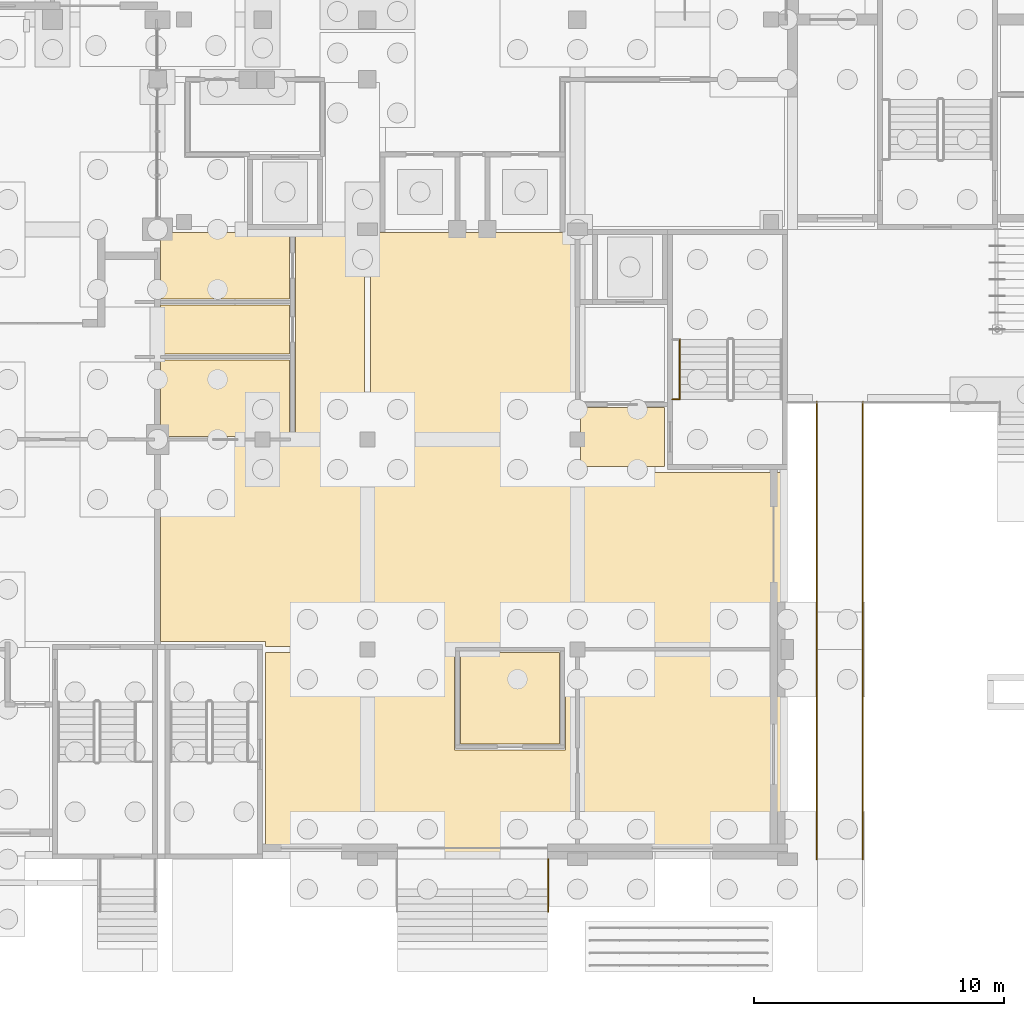
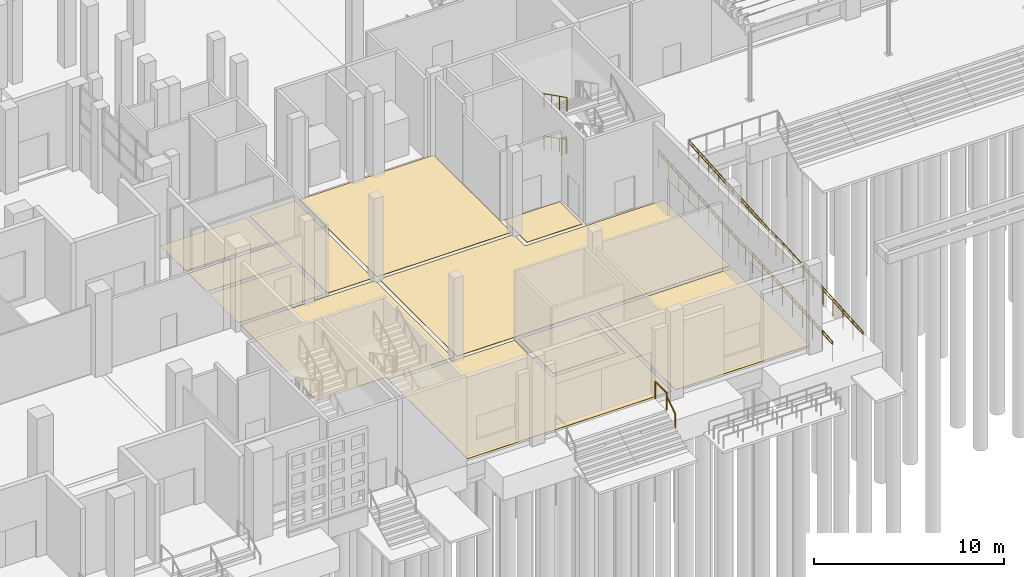
# One storey, part 105 of 129: 11 coverings, 9 railings.
"""IFC4 building model written with IfcOpenShell, lengths in metres."""

from ifc_helpers import new_model, si_unit, direction, frame, origin, origin_2d, place, context, subcontext, project, spatial, polyline, circle, outline, extrude, material, layer, layer_set, type_object, element, save


model = new_model("IFC4")

# Units and contexts
model_context = context("Model", 3, precision=1e-05, world=origin(), true_north=direction((0.0, 1.0)))
body_context = subcontext(model_context, "Body", "Model", "MODEL_VIEW")
ifc_project = project(units=[si_unit("LENGTHUNIT", "METRE"), si_unit("AREAUNIT", "SQUARE_METRE"), si_unit("VOLUMEUNIT", "CUBIC_METRE"), si_unit("PLANEANGLEUNIT", "RADIAN"), si_unit("MASSUNIT", "GRAM", prefix="KILO")], contexts=[model_context])

# Site, building, storey
site_placement = place(None, origin())
site = spatial("IfcSite", under=ifc_project, at=site_placement, CompositionType="ELEMENT")
building_placement = place(site_placement, origin())
building = spatial("IfcBuilding", under=site, at=building_placement, Name="Kiln Court Media Centre", CompositionType="ELEMENT")
storey_placement = place(building_placement, origin())
storey = spatial("IfcBuildingStorey", under=building, at=storey_placement, Name="L00", CompositionType="ELEMENT", Elevation=0.0)

# Coverings
ifc_material_1 = material(Name="Ceramic tile")
ifc_layer_1 = layer(ifc_material_1, 0.011962890625)
ifc_layer_set_1 = layer_set([ifc_layer_1], Name="Ceramic tile floor finish 12")
covering_type_1 = type_object("IfcCoveringType", Name="Ceramic tile floor finish 12", PredefinedType="FLOORING", material=ifc_layer_set_1)
covering_1_placement = place(storey_placement, origin())
element("IfcCovering", 1, at=covering_1_placement, inside=storey, type_object=covering_type_1, Name="Women's WC floor finish", PredefinedType="FLOORING", context=body_context, shape_type="SweptSolid", body=[
    extrude(outline(polyline([(38.8798828125, 16.919921875), (38.8798828125, 19.97998046875), (33.719970703125, 19.97998046875), (33.719970703125, 16.919921875), (38.8798828125, 16.919921875)])), origin(), (0.0, 0.0, 1.0), 0.011962890625),
])
covering_2_placement = place(storey_placement, origin())
element("IfcCovering", 2, at=covering_2_placement, inside=storey, type_object=covering_type_1, Name="Men's WC floor finish", PredefinedType="FLOORING", context=body_context, shape_type="SweptSolid", body=[
    extrude(outline(polyline([(38.8798828125, 20.219970703125), (38.8798828125, 22.179931640625), (33.719970703125, 22.179931640625), (33.719970703125, 20.219970703125), (38.8798828125, 20.219970703125)])), origin(), (0.0, 0.0, 1.0), 0.011962890625),
])
covering_3_placement = place(storey_placement, origin())
element("IfcCovering", 3, at=covering_3_placement, inside=storey, type_object=covering_type_1, Name="Accessible WC floor finish", PredefinedType="FLOORING", context=body_context, shape_type="SweptSolid", body=[
    extrude(outline(polyline([(38.8798828125, 22.419921875), (38.8798828125, 25.080078125), (33.719970703125, 25.080078125), (33.719970703125, 22.419921875), (38.8798828125, 22.419921875)])), origin(), (0.0, 0.0, 1.0), 0.011962890625),
])
ifc_material_2 = material(Name="Engineered timber", Category="wood")
ifc_layer_2 = layer(ifc_material_2, 0.02001953125)
ifc_layer_set_2 = layer_set([ifc_layer_2], Name="Engineered timber floor finish 20")
covering_type_2 = type_object("IfcCoveringType", Name="Engineered timber floor finish 20", PredefinedType="FLOORING", material=ifc_layer_set_2)
covering_4_placement = place(storey_placement, origin())
element("IfcCovering", 4, at=covering_4_placement, inside=storey, type_object=covering_type_2, Name="Fire Command Room floor finish", PredefinedType="FLOORING", context=body_context, shape_type="SweptSolid", body=[
    extrude(outline(polyline([(45.719970703125, 4.6201171875), (49.679931640625, 4.6201171875), (49.679931640625, 8.280029296875), (45.719970703125, 8.280029296875), (45.719970703125, 4.6201171875)])), origin(), (0.0, 0.0, 1.0), 0.02001953125),
])
covering_5_placement = place(storey_placement, origin())
element("IfcCovering", 5, at=covering_5_placement, inside=storey, type_object=covering_type_2, Name="Foyer Cafe floor finish", PredefinedType="FLOORING", context=body_context, shape_type="SweptSolid", body=[
    extrude(outline(polyline([(33.719970703125, 16.679931640625), (33.719970703125, 8.719970703125), (37.919921875, 8.719970703125), (37.919921875, 8.52001953125), (41.8798828125, 8.52001953125), (41.8798828125, 16.679931640625), (33.719970703125, 16.679931640625)])), origin(), (0.0, 0.0, 1.0), 0.02001953125),
])
ifc_material_3 = material(Name="Terrazzo")
ifc_layer_3 = layer(ifc_material_3, 0.02490234375)
ifc_layer_set_3 = layer_set([ifc_layer_3], Name="Polished terrazzo floor finish 25")
covering_type_3 = type_object("IfcCoveringType", Name="Polished terrazzo floor finish 25", PredefinedType="FLOORING", material=ifc_layer_set_3)
covering_6_placement = place(storey_placement, origin())
element("IfcCovering", 6, at=covering_6_placement, inside=storey, type_object=covering_type_3, Name="Street Entrance Hall floor finish", PredefinedType="FLOORING", context=body_context, shape_type="SweptSolid", body=[
    extrude(outline(polyline([(50.280029296875, 8.280029296875), (49.919921875, 8.280029296875), (49.919921875, 4.3798828125), (45.47998046875, 4.3798828125), (45.47998046875, 8.280029296875), (37.919921875, 8.280029296875), (37.919921875, 0.1201171875), (50.280029296875, 0.1201171875), (50.280029296875, 8.280029296875)])), origin(), (0.0, 0.0, 1.0), 0.02490234375),
])
covering_7_placement = place(storey_placement, origin())
element("IfcCovering", 7, at=covering_7_placement, inside=storey, type_object=covering_type_3, Name="Box Office floor finish", PredefinedType="FLOORING", context=body_context, shape_type="SweptSolid", body=[
    extrude(outline(polyline([(50.52001953125, 0.1201171875), (58.679931640625, 0.1201171875), (58.679931640625, 8.280029296875), (50.52001953125, 8.280029296875), (50.52001953125, 0.1201171875)])), origin(), (0.0, 0.0, 1.0), 0.02490234375),
])
covering_8_placement = place(storey_placement, origin())
element("IfcCovering", 8, at=covering_8_placement, inside=storey, type_object=covering_type_3, Name="Main Entrance Lobby floor finish", PredefinedType="FLOORING", context=body_context, shape_type="SweptSolid", body=[
    extrude(outline(polyline([(58.679931640625, 15.47998046875), (50.280029296875, 15.47998046875), (50.280029296875, 16.679931640625), (42.1201171875, 16.679931640625), (42.1201171875, 8.52001953125), (58.679931640625, 8.52001953125), (58.679931640625, 15.47998046875)])), origin(), (0.0, 0.0, 1.0), 0.02490234375),
])
covering_9_placement = place(storey_placement, origin())
element("IfcCovering", 9, at=covering_9_placement, inside=storey, type_object=covering_type_3, Name="Stair 5 Lobby floor finish", PredefinedType="FLOORING", context=body_context, shape_type="SweptSolid", body=[
    extrude(outline(polyline([(50.52001953125, 15.719970703125), (53.8798828125, 15.719970703125), (53.8798828125, 18.080078125), (50.52001953125, 18.080078125), (50.52001953125, 15.719970703125)])), origin(), (0.0, 0.0, 1.0), 0.02490234375),
])
covering_10_placement = place(storey_placement, origin())
element("IfcCovering", 10, at=covering_10_placement, inside=storey, type_object=covering_type_3, Name="Toilet Lobby floor finish", PredefinedType="FLOORING", context=body_context, shape_type="SweptSolid", body=[
    extrude(outline(polyline([(41.8798828125, 16.919921875), (41.8798828125, 25.080078125), (39.1201171875, 25.080078125), (39.1201171875, 16.919921875), (41.8798828125, 16.919921875)])), origin(), (0.0, 0.0, 1.0), 0.02490234375),
])
covering_11_placement = place(storey_placement, origin())
element("IfcCovering", 11, at=covering_11_placement, inside=storey, type_object=covering_type_3, Name="North Hall floor finish", PredefinedType="FLOORING", context=body_context, shape_type="SweptSolid", body=[
    extrude(outline(polyline([(42.1201171875, 16.919921875), (50.280029296875, 16.919921875), (50.280029296875, 25.080078125), (42.1201171875, 25.080078125), (42.1201171875, 16.919921875)])), origin(), (0.0, 0.0, 1.0), 0.02490234375),
])

# Railings
ifc_material_4 = material(Name="Steel S275", Category="steel")
railing_type_1 = type_object("IfcRailingType", Name="Steel S275 stair guard 1100", PredefinedType="GUARDRAIL", material=ifc_material_4)
railing_1_placement = place(storey_placement, frame((54.449951171875, 18.39990234375, 2.699951171875)))
element("IfcRailing", 12, at=railing_1_placement, inside=storey, type_object=railing_type_1, Name="ST-05 landing edge guard", PredefinedType="GUARDRAIL", context=body_context, shape_type="SweptSolid", body=[
    extrude(circle(Radius=0.02392578125, at=origin_2d()), frame((0.0, 0.0, 1.076171875), z_axis=(-1.0, 0.0, 0.0), x_axis=(0.0, -1.0, 0.0)), (0.0, 0.0, 1.0), 0.25),
    extrude(circle(Radius=0.02099609375, at=origin_2d()), origin(), (0.0, 0.0, 1.0), 1.052001953125),
    extrude(circle(Radius=0.02099609375, at=origin_2d()), frame((-0.25, 0.0, 0.0)), (0.0, 0.0, 1.0), 1.052001953125),
])
ifc_material_5 = material(Name="Steel S275", Category="steel")
railing_type_2 = type_object("IfcRailingType", Name="Steel S275 stair handrail 900", PredefinedType="HANDRAIL", material=ifc_material_5)
for number, where, name in (
    (13, (54.5, 20.800048828125, 1.5), "ST-05 stair handrail"),
    (14, (54.5, 20.800048828125, 4.199951171875), "ST-05 stair handrail"),
):
    element("IfcRailing", number, at=place(storey_placement, frame(where)), inside=storey, type_object=railing_type_2, Name=name, PredefinedType="HANDRAIL", context=body_context, shape_type="SweptSolid", body=[
        extrude(circle(Radius=0.02392578125, at=origin_2d()), frame((0.0, 0.0, 0.8759765625), z_axis=(0.0, -0.894445386687, 0.447177202275), x_axis=(1.0, 0.0, 0.0)), (0.0, 0.0, 1.0), 2.683349609375),
        extrude(circle(Radius=0.02099609375, at=origin_2d()), origin(), (0.0, 0.0, 1.0), 0.851806640625),
        extrude(circle(Radius=0.02099609375, at=origin_2d()), frame((0.0, -0.800048828125, 0.39990234375)), (0.0, 0.0, 1.0), 0.851806640625),
        extrude(circle(Radius=0.02099609375, at=origin_2d()), frame((0.0, -1.60009765625, 0.800048828125)), (0.0, 0.0, 1.0), 0.851806640625),
        extrude(circle(Radius=0.02099609375, at=origin_2d()), frame((0.0, -2.400146484375, 1.199951171875)), (0.0, 0.0, 1.0), 0.851806640625),
    ])
ifc_material_6 = material(Name="Steel ASTM A572 Gr 50", Category="steel")
railing_type_3 = type_object("IfcRailingType", Name="Steel guard rail 1100", PredefinedType="GUARDRAIL", material=ifc_material_6)
railing_2_placement = place(storey_placement, frame((59.97900390625, 0.0, -1.39990234375)))
element("IfcRailing", 15, at=railing_2_placement, inside=storey, type_object=railing_type_3, Name="Forecourt ramp guard 1", PredefinedType="GUARDRAIL", context=body_context, shape_type="SweptSolid", body=[
    extrude(circle(Radius=0.02392578125, at=origin_2d()), frame((0.0, 0.0, 1.27587890625), z_axis=(0.0, 0.997459876989, 0.071230567859), x_axis=(-1.0, 0.0, 0.0)), (0.0, 0.0, 1.0), 8.42138671875),
    extrude(circle(Radius=0.02392578125, at=origin_2d()), frame((0.0, 8.39990234375, 1.8759765625), z_axis=(0.0, 1.0, 0.0), x_axis=(-1.0, 0.0, 0.0)), (0.0, 0.0, 1.0), 1.5),
    extrude(circle(Radius=0.02392578125, at=origin_2d()), frame((0.0, 9.89990234375, 1.8759765625), z_axis=(0.0, 0.997457963991, 0.071257350989), x_axis=(-1.0, 0.0, 0.0)), (0.0, 0.0, 1.0), 8.421630859375),
    extrude(circle(Radius=0.02099609375, at=origin_2d()), origin(), (0.0, 0.0, 1.0), 1.251953125),
    extrude(circle(Radius=0.02099609375, at=origin_2d()), frame((0.0, 1.050048828125, 0.074951171875)), (0.0, 0.0, 1.0), 1.251953125),
    extrude(circle(Radius=0.02099609375, at=origin_2d()), frame((0.0, 2.10009765625, 0.14990234375)), (0.0, 0.0, 1.0), 1.251953125),
    extrude(circle(Radius=0.02099609375, at=origin_2d()), frame((0.0, 3.14990234375, 0.224853515625)), (0.0, 0.0, 1.0), 1.251953125),
    extrude(circle(Radius=0.02099609375, at=origin_2d()), frame((0.0, 4.199951171875, 0.2998046875)), (0.0, 0.0, 1.0), 1.251953125),
    extrude(circle(Radius=0.02099609375, at=origin_2d()), frame((0.0, 5.25, 0.375)), (0.0, 0.0, 1.0), 1.251953125),
    extrude(circle(Radius=0.02099609375, at=origin_2d()), frame((0.0, 6.2998046875, 0.449951171875)), (0.0, 0.0, 1.0), 1.251953125),
    extrude(circle(Radius=0.02099609375, at=origin_2d()), frame((0.0, 7.349853515625, 0.52490234375)), (0.0, 0.0, 1.0), 1.251953125),
    extrude(circle(Radius=0.02099609375, at=origin_2d()), frame((0.0, 8.39990234375, 0.599853515625)), (0.0, 0.0, 1.0), 1.251953125),
    extrude(circle(Radius=0.02099609375, at=origin_2d()), frame((0.0, 9.14990234375, 0.599853515625)), (0.0, 0.0, 1.0), 1.251953125),
    extrude(circle(Radius=0.02099609375, at=origin_2d()), frame((0.0, 9.89990234375, 0.599853515625)), (0.0, 0.0, 1.0), 1.251953125),
    extrude(circle(Radius=0.02099609375, at=origin_2d()), frame((0.0, 10.949951171875, 0.6748046875)), (0.0, 0.0, 1.0), 1.251953125),
    extrude(circle(Radius=0.02099609375, at=origin_2d()), frame((0.0, 12.0, 0.75)), (0.0, 0.0, 1.0), 1.251953125),
    extrude(circle(Radius=0.02099609375, at=origin_2d()), frame((0.0, 13.050048828125, 0.824951171875)), (0.0, 0.0, 1.0), 1.251953125),
    extrude(circle(Radius=0.02099609375, at=origin_2d()), frame((0.0, 14.10009765625, 0.89990234375)), (0.0, 0.0, 1.0), 1.251953125),
    extrude(circle(Radius=0.02099609375, at=origin_2d()), frame((0.0, 15.14990234375, 0.974853515625)), (0.0, 0.0, 1.0), 1.251953125),
    extrude(circle(Radius=0.02099609375, at=origin_2d()), frame((0.0, 16.199951171875, 1.0498046875)), (0.0, 0.0, 1.0), 1.251953125),
    extrude(circle(Radius=0.02099609375, at=origin_2d()), frame((0.0, 17.25, 1.125)), (0.0, 0.0, 1.0), 1.251953125),
    extrude(circle(Radius=0.02099609375, at=origin_2d()), frame((0.0, 18.300048828125, 1.199951171875)), (0.0, 0.0, 1.0), 1.251953125),
])
railing_3_placement = place(storey_placement, frame((61.821044921875, 0.0, -1.39990234375)))
element("IfcRailing", 16, at=railing_3_placement, inside=storey, type_object=railing_type_3, Name="Forecourt ramp guard 2", PredefinedType="GUARDRAIL", context=body_context, shape_type="SweptSolid", body=[
    extrude(circle(Radius=0.02392578125, at=origin_2d()), frame((0.0, 0.0, 1.27587890625), z_axis=(0.0, 0.997459876989, 0.071230567859), x_axis=(-1.0, 0.0, 0.0)), (0.0, 0.0, 1.0), 8.42138671875),
    extrude(circle(Radius=0.02392578125, at=origin_2d()), frame((0.0, 8.39990234375, 1.8759765625), z_axis=(0.0, 1.0, 0.0), x_axis=(-1.0, 0.0, 0.0)), (0.0, 0.0, 1.0), 1.5),
    extrude(circle(Radius=0.02392578125, at=origin_2d()), frame((0.0, 9.89990234375, 1.8759765625), z_axis=(0.0, 0.997457963991, 0.071257350989), x_axis=(-1.0, 0.0, 0.0)), (0.0, 0.0, 1.0), 8.421630859375),
    extrude(circle(Radius=0.02099609375, at=origin_2d()), origin(), (0.0, 0.0, 1.0), 1.251953125),
    extrude(circle(Radius=0.02099609375, at=origin_2d()), frame((0.0, 1.050048828125, 0.074951171875)), (0.0, 0.0, 1.0), 1.251953125),
    extrude(circle(Radius=0.02099609375, at=origin_2d()), frame((0.0, 2.10009765625, 0.14990234375)), (0.0, 0.0, 1.0), 1.251953125),
    extrude(circle(Radius=0.02099609375, at=origin_2d()), frame((0.0, 3.14990234375, 0.224853515625)), (0.0, 0.0, 1.0), 1.251953125),
    extrude(circle(Radius=0.02099609375, at=origin_2d()), frame((0.0, 4.199951171875, 0.2998046875)), (0.0, 0.0, 1.0), 1.251953125),
    extrude(circle(Radius=0.02099609375, at=origin_2d()), frame((0.0, 5.25, 0.375)), (0.0, 0.0, 1.0), 1.251953125),
    extrude(circle(Radius=0.02099609375, at=origin_2d()), frame((0.0, 6.2998046875, 0.449951171875)), (0.0, 0.0, 1.0), 1.251953125),
    extrude(circle(Radius=0.02099609375, at=origin_2d()), frame((0.0, 7.349853515625, 0.52490234375)), (0.0, 0.0, 1.0), 1.251953125),
    extrude(circle(Radius=0.02099609375, at=origin_2d()), frame((0.0, 8.39990234375, 0.599853515625)), (0.0, 0.0, 1.0), 1.251953125),
    extrude(circle(Radius=0.02099609375, at=origin_2d()), frame((0.0, 9.14990234375, 0.599853515625)), (0.0, 0.0, 1.0), 1.251953125),
    extrude(circle(Radius=0.02099609375, at=origin_2d()), frame((0.0, 9.89990234375, 0.599853515625)), (0.0, 0.0, 1.0), 1.251953125),
    extrude(circle(Radius=0.02099609375, at=origin_2d()), frame((0.0, 10.949951171875, 0.6748046875)), (0.0, 0.0, 1.0), 1.251953125),
    extrude(circle(Radius=0.02099609375, at=origin_2d()), frame((0.0, 12.0, 0.75)), (0.0, 0.0, 1.0), 1.251953125),
    extrude(circle(Radius=0.02099609375, at=origin_2d()), frame((0.0, 13.050048828125, 0.824951171875)), (0.0, 0.0, 1.0), 1.251953125),
    extrude(circle(Radius=0.02099609375, at=origin_2d()), frame((0.0, 14.10009765625, 0.89990234375)), (0.0, 0.0, 1.0), 1.251953125),
    extrude(circle(Radius=0.02099609375, at=origin_2d()), frame((0.0, 15.14990234375, 0.974853515625)), (0.0, 0.0, 1.0), 1.251953125),
    extrude(circle(Radius=0.02099609375, at=origin_2d()), frame((0.0, 16.199951171875, 1.0498046875)), (0.0, 0.0, 1.0), 1.251953125),
    extrude(circle(Radius=0.02099609375, at=origin_2d()), frame((0.0, 17.25, 1.125)), (0.0, 0.0, 1.0), 1.251953125),
    extrude(circle(Radius=0.02099609375, at=origin_2d()), frame((0.0, 18.300048828125, 1.199951171875)), (0.0, 0.0, 1.0), 1.251953125),
])
railing_4_placement = place(storey_placement, frame((49.22998046875, -1.199951171875, 0.0)))
element("IfcRailing", 17, at=railing_4_placement, inside=storey, type_object=railing_type_3, Name="EN-04 street porch landing guard", PredefinedType="GUARDRAIL", context=body_context, shape_type="SweptSolid", body=[
    extrude(circle(Radius=0.02392578125, at=origin_2d()), frame((0.0, 0.0, 1.076171875), z_axis=(0.0, 1.0, 0.0), x_axis=(-1.0, 0.0, 0.0)), (0.0, 0.0, 1.0), 1.199951171875),
    extrude(circle(Radius=0.02099609375, at=origin_2d()), origin(), (0.0, 0.0, 1.0), 1.052001953125),
    extrude(circle(Radius=0.02099609375, at=origin_2d()), frame((0.0, 1.199951171875, 0.0)), (0.0, 0.0, 1.0), 1.052001953125),
])
ifc_material_7 = material(Name="Steel ASTM A572 Gr 50", Category="steel")
railing_type_4 = type_object("IfcRailingType", Name="Steel handrail 900", PredefinedType="HANDRAIL", material=ifc_material_7)
railing_5_placement = place(storey_placement, frame((59.97900390625, 0.0, -1.39990234375)))
element("IfcRailing", 18, at=railing_5_placement, inside=storey, type_object=railing_type_4, Name="Forecourt ramp handrail 1", PredefinedType="HANDRAIL", context=body_context, shape_type="SweptSolid", body=[
    extrude(circle(Radius=0.02392578125, at=origin_2d()), frame((0.0, 0.0, 1.076171875), z_axis=(0.0, 0.997459876989, 0.071230567859), x_axis=(-1.0, 0.0, 0.0)), (0.0, 0.0, 1.0), 8.42138671875),
    extrude(circle(Radius=0.02392578125, at=origin_2d()), frame((0.0, 8.39990234375, 1.67578125), z_axis=(0.0, 1.0, 0.0), x_axis=(-1.0, 0.0, 0.0)), (0.0, 0.0, 1.0), 1.5),
    extrude(circle(Radius=0.02392578125, at=origin_2d()), frame((0.0, 9.89990234375, 1.67578125), z_axis=(0.0, 0.997457963991, 0.071257350989), x_axis=(-1.0, 0.0, 0.0)), (0.0, 0.0, 1.0), 8.421630859375),
    extrude(circle(Radius=0.02099609375, at=origin_2d()), origin(), (0.0, 0.0, 1.0), 1.052001953125),
    extrude(circle(Radius=0.02099609375, at=origin_2d()), frame((0.0, 1.050048828125, 0.074951171875)), (0.0, 0.0, 1.0), 1.052001953125),
    extrude(circle(Radius=0.02099609375, at=origin_2d()), frame((0.0, 2.10009765625, 0.14990234375)), (0.0, 0.0, 1.0), 1.052001953125),
    extrude(circle(Radius=0.02099609375, at=origin_2d()), frame((0.0, 3.14990234375, 0.224853515625)), (0.0, 0.0, 1.0), 1.052001953125),
    extrude(circle(Radius=0.02099609375, at=origin_2d()), frame((0.0, 4.199951171875, 0.2998046875)), (0.0, 0.0, 1.0), 1.052001953125),
    extrude(circle(Radius=0.02099609375, at=origin_2d()), frame((0.0, 5.25, 0.375)), (0.0, 0.0, 1.0), 1.052001953125),
    extrude(circle(Radius=0.02099609375, at=origin_2d()), frame((0.0, 6.2998046875, 0.449951171875)), (0.0, 0.0, 1.0), 1.052001953125),
    extrude(circle(Radius=0.02099609375, at=origin_2d()), frame((0.0, 7.349853515625, 0.52490234375)), (0.0, 0.0, 1.0), 1.052001953125),
    extrude(circle(Radius=0.02099609375, at=origin_2d()), frame((0.0, 8.39990234375, 0.599853515625)), (0.0, 0.0, 1.0), 1.052001953125),
    extrude(circle(Radius=0.02099609375, at=origin_2d()), frame((0.0, 9.14990234375, 0.599853515625)), (0.0, 0.0, 1.0), 1.052001953125),
    extrude(circle(Radius=0.02099609375, at=origin_2d()), frame((0.0, 9.89990234375, 0.599853515625)), (0.0, 0.0, 1.0), 1.052001953125),
    extrude(circle(Radius=0.02099609375, at=origin_2d()), frame((0.0, 10.949951171875, 0.6748046875)), (0.0, 0.0, 1.0), 1.052001953125),
    extrude(circle(Radius=0.02099609375, at=origin_2d()), frame((0.0, 12.0, 0.75)), (0.0, 0.0, 1.0), 1.052001953125),
    extrude(circle(Radius=0.02099609375, at=origin_2d()), frame((0.0, 13.050048828125, 0.824951171875)), (0.0, 0.0, 1.0), 1.052001953125),
    extrude(circle(Radius=0.02099609375, at=origin_2d()), frame((0.0, 14.10009765625, 0.89990234375)), (0.0, 0.0, 1.0), 1.052001953125),
    extrude(circle(Radius=0.02099609375, at=origin_2d()), frame((0.0, 15.14990234375, 0.974853515625)), (0.0, 0.0, 1.0), 1.052001953125),
    extrude(circle(Radius=0.02099609375, at=origin_2d()), frame((0.0, 16.199951171875, 1.0498046875)), (0.0, 0.0, 1.0), 1.052001953125),
    extrude(circle(Radius=0.02099609375, at=origin_2d()), frame((0.0, 17.25, 1.125)), (0.0, 0.0, 1.0), 1.052001953125),
    extrude(circle(Radius=0.02099609375, at=origin_2d()), frame((0.0, 18.300048828125, 1.199951171875)), (0.0, 0.0, 1.0), 1.052001953125),
])
railing_6_placement = place(storey_placement, frame((61.821044921875, 0.0, -1.39990234375)))
element("IfcRailing", 19, at=railing_6_placement, inside=storey, type_object=railing_type_4, Name="Forecourt ramp handrail 2", PredefinedType="HANDRAIL", context=body_context, shape_type="SweptSolid", body=[
    extrude(circle(Radius=0.02392578125, at=origin_2d()), frame((0.0, 0.0, 1.076171875), z_axis=(0.0, 0.997459876989, 0.071230567859), x_axis=(-1.0, 0.0, 0.0)), (0.0, 0.0, 1.0), 8.42138671875),
    extrude(circle(Radius=0.02392578125, at=origin_2d()), frame((0.0, 8.39990234375, 1.67578125), z_axis=(0.0, 1.0, 0.0), x_axis=(-1.0, 0.0, 0.0)), (0.0, 0.0, 1.0), 1.5),
    extrude(circle(Radius=0.02392578125, at=origin_2d()), frame((0.0, 9.89990234375, 1.67578125), z_axis=(0.0, 0.997457963991, 0.071257350989), x_axis=(-1.0, 0.0, 0.0)), (0.0, 0.0, 1.0), 8.421630859375),
    extrude(circle(Radius=0.02099609375, at=origin_2d()), origin(), (0.0, 0.0, 1.0), 1.052001953125),
    extrude(circle(Radius=0.02099609375, at=origin_2d()), frame((0.0, 1.050048828125, 0.074951171875)), (0.0, 0.0, 1.0), 1.052001953125),
    extrude(circle(Radius=0.02099609375, at=origin_2d()), frame((0.0, 2.10009765625, 0.14990234375)), (0.0, 0.0, 1.0), 1.052001953125),
    extrude(circle(Radius=0.02099609375, at=origin_2d()), frame((0.0, 3.14990234375, 0.224853515625)), (0.0, 0.0, 1.0), 1.052001953125),
    extrude(circle(Radius=0.02099609375, at=origin_2d()), frame((0.0, 4.199951171875, 0.2998046875)), (0.0, 0.0, 1.0), 1.052001953125),
    extrude(circle(Radius=0.02099609375, at=origin_2d()), frame((0.0, 5.25, 0.375)), (0.0, 0.0, 1.0), 1.052001953125),
    extrude(circle(Radius=0.02099609375, at=origin_2d()), frame((0.0, 6.2998046875, 0.449951171875)), (0.0, 0.0, 1.0), 1.052001953125),
    extrude(circle(Radius=0.02099609375, at=origin_2d()), frame((0.0, 7.349853515625, 0.52490234375)), (0.0, 0.0, 1.0), 1.052001953125),
    extrude(circle(Radius=0.02099609375, at=origin_2d()), frame((0.0, 8.39990234375, 0.599853515625)), (0.0, 0.0, 1.0), 1.052001953125),
    extrude(circle(Radius=0.02099609375, at=origin_2d()), frame((0.0, 9.14990234375, 0.599853515625)), (0.0, 0.0, 1.0), 1.052001953125),
    extrude(circle(Radius=0.02099609375, at=origin_2d()), frame((0.0, 9.89990234375, 0.599853515625)), (0.0, 0.0, 1.0), 1.052001953125),
    extrude(circle(Radius=0.02099609375, at=origin_2d()), frame((0.0, 10.949951171875, 0.6748046875)), (0.0, 0.0, 1.0), 1.052001953125),
    extrude(circle(Radius=0.02099609375, at=origin_2d()), frame((0.0, 12.0, 0.75)), (0.0, 0.0, 1.0), 1.052001953125),
    extrude(circle(Radius=0.02099609375, at=origin_2d()), frame((0.0, 13.050048828125, 0.824951171875)), (0.0, 0.0, 1.0), 1.052001953125),
    extrude(circle(Radius=0.02099609375, at=origin_2d()), frame((0.0, 14.10009765625, 0.89990234375)), (0.0, 0.0, 1.0), 1.052001953125),
    extrude(circle(Radius=0.02099609375, at=origin_2d()), frame((0.0, 15.14990234375, 0.974853515625)), (0.0, 0.0, 1.0), 1.052001953125),
    extrude(circle(Radius=0.02099609375, at=origin_2d()), frame((0.0, 16.199951171875, 1.0498046875)), (0.0, 0.0, 1.0), 1.052001953125),
    extrude(circle(Radius=0.02099609375, at=origin_2d()), frame((0.0, 17.25, 1.125)), (0.0, 0.0, 1.0), 1.052001953125),
    extrude(circle(Radius=0.02099609375, at=origin_2d()), frame((0.0, 18.300048828125, 1.199951171875)), (0.0, 0.0, 1.0), 1.052001953125),
])
railing_7_placement = place(storey_placement, frame((49.22998046875, -2.10009765625, -0.60009765625)))
element("IfcRailing", 20, at=railing_7_placement, inside=storey, type_object=railing_type_4, Name="EN-04 street porch steps handrail", PredefinedType="HANDRAIL", context=body_context, shape_type="SweptSolid", body=[
    extrude(circle(Radius=0.02392578125, at=origin_2d()), frame((0.0, 0.0, 0.8759765625), z_axis=(0.0, 0.832050294338, 0.554700196225), x_axis=(-1.0, 0.0, 0.0)), (0.0, 0.0, 1.0), 1.081787109375),
    extrude(circle(Radius=0.02099609375, at=origin_2d()), origin(), (0.0, 0.0, 1.0), 0.851806640625),
    extrude(circle(Radius=0.02099609375, at=origin_2d()), frame((0.0, 0.900146484375, 0.60009765625)), (0.0, 0.0, 1.0), 0.851806640625),
])

save(model, "model.ifc")
